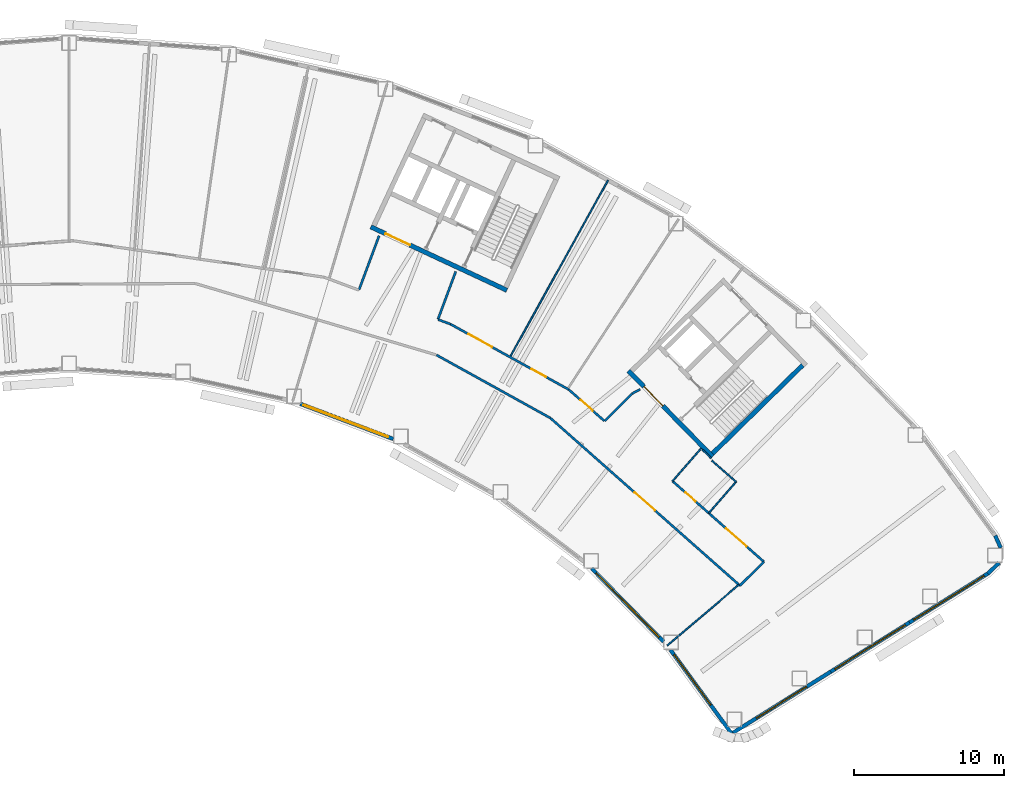
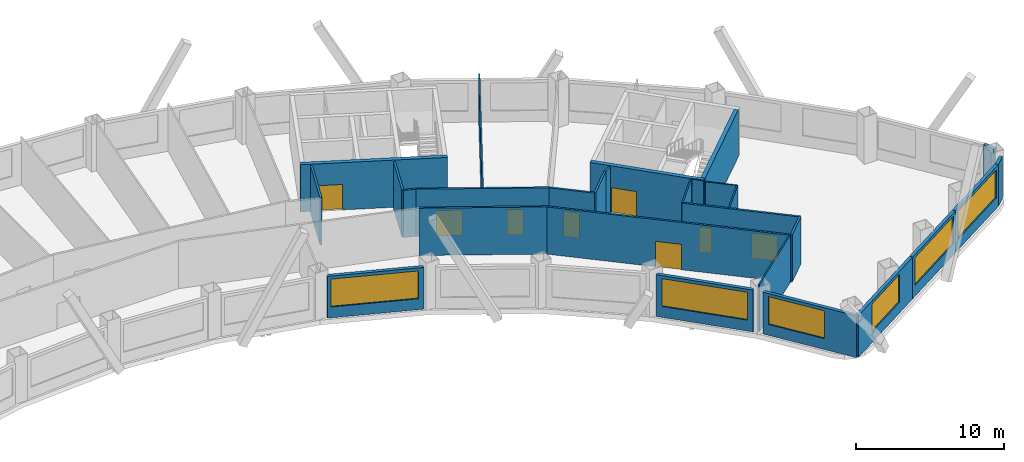
# One storey, part 6 of 11: 28 walls, 8 doors, 6 windows, 14 openings.
"""IFC4 building model written with IfcOpenShell, lengths in metres."""

from ifc_helpers import new_model, si_unit, direction, frame, frame_2d, origin, place, context, subcontext, project, spatial, rectangle, extrude, material, layer, layer_set, type_object, element, fill, save


model = new_model("IFC4")

# Units and contexts
model_context = context("Model", 3, precision=1e-05, world=origin(), true_north=direction((0.0, 1.0)))
body_context = subcontext(model_context, "Body", "Model", "MODEL_VIEW")
ifc_project = project(units=[si_unit("LENGTHUNIT", "METRE"), si_unit("AREAUNIT", "SQUARE_METRE"), si_unit("VOLUMEUNIT", "CUBIC_METRE"), si_unit("PLANEANGLEUNIT", "RADIAN"), si_unit("MASSUNIT", "GRAM", prefix="KILO")], contexts=[model_context])

# Site, building, storey
site_placement = place(None, origin())
site = spatial("IfcSite", under=ifc_project, at=site_placement, CompositionType="ELEMENT")
building_placement = place(site_placement, origin())
building = spatial("IfcBuilding", under=site, at=building_placement, Name="Tuul Gate Civic Tower", CompositionType="ELEMENT")
storey_placement = place(building_placement, frame((0.0, 0.0, 138.199951171875)))
storey = spatial("IfcBuildingStorey", under=building, at=storey_placement, Name="Level 31", CompositionType="ELEMENT", Elevation=138.199951171875)

# Wall, opening, door
ifc_material_1 = material(Name="Concrete C50/60", Category="concrete")
ifc_layer_1 = layer(ifc_material_1, 0.300048828125)
ifc_layer_set_1 = layer_set([ifc_layer_1], Name="Concrete C50/60")
wall_type_1 = type_object("IfcWallType", Name="Core wall C50/60", PredefinedType="SHEAR", material=ifc_layer_set_1)
wall_1_placement = place(storey_placement, frame((48.22509765625, -18.327880859375, 0.0), z_axis=(0.0, 0.0, 1.0), x_axis=(-0.700021979774, 0.714121297703, 0.0)))
wall_1 = element("IfcWall", 1, at=wall_1_placement, inside=storey, type_object=wall_type_1, Name="Core wall", PredefinedType="SHEAR", context=body_context, shape_type="SweptSolid", body=[
    extrude(rectangle(XDim=8.0, YDim=0.300048828125, at=frame_2d((4.0, 0.0))), origin(), (0.0, 0.0, 1.0), 3.900146484375),
])
opening_1_placement = place(wall_1_placement, frame((4.72509765625, 0.0, 0.0)))
opening_1 = element("IfcOpeningElement", 2, at=opening_1_placement, cuts=wall_1, Name="Opening LB-E1-LOBBY-1", PredefinedType="OPENING", context=body_context, shape_type="SweptSolid", body=[
    extrude(rectangle(XDim=1.800048828125, YDim=2.10009765625, at=frame_2d((0.89990234375, 1.050048828125))), frame((0.0, 0.16015625, 0.0), z_axis=(0.0, -1.0, 0.0), x_axis=(1.0, 0.0, 0.0)), (0.0, 0.0, 1.0), 0.320068359375),
])
ifc_material_2 = material(Name="Steel", Category="steel")
door_type_1 = type_object("IfcDoorType", Name="Lobby door", OperationType="DOUBLE_DOOR_SINGLE_SWING", PredefinedType="DOOR", material=ifc_material_2)
door_1_placement = place(opening_1_placement, frame((1.800048828125, 0.0, 0.0), z_axis=(0.0, 0.0, 1.0), x_axis=(-1.0, 0.0, 0.0)))
door_1 = element("IfcDoor", 3, at=door_1_placement, inside=storey, type_object=door_type_1, Name="Lobby door E1-LOBBY", OperationType="DOUBLE_DOOR_SINGLE_SWING", OverallHeight=2.10009765625, OverallWidth=1.800048828125, PredefinedType="DOOR", context=body_context, shape_type="SweptSolid", body=[
    extrude(rectangle(XDim=1.800048828125, YDim=2.10009765625, at=frame_2d((0.900146484375, 1.050048828125))), frame((0.0, 0.02490234375, 0.0), z_axis=(0.0, -1.0, 0.0), x_axis=(1.0, 0.0, 0.0)), (0.0, 0.0, 1.0), 0.050048828125),
])
fill(opening_1, door_1)

# Wall
wall_2_placement = place(storey_placement, frame((48.227294921875, -18.115966796875, 0.0), z_axis=(0.0, 0.0, 1.0), x_axis=(0.714105315431, 0.700038283577, 0.0)))
element("IfcWall", 4, at=wall_2_placement, inside=storey, type_object=wall_type_1, Name="Core wall", PredefinedType="SHEAR", context=body_context, shape_type="SweptSolid", body=[
    extrude(rectangle(XDim=8.400146484375, YDim=0.300048828125, at=frame_2d((4.2001953125, 0.0))), origin(), (0.0, 0.0, 1.0), 3.900146484375),
])

# Wall, opening, door
wall_3_placement = place(storey_placement, frame((34.5283203125, -7.25, 0.0), z_axis=(0.0, 0.0, 1.0), x_axis=(-0.906310338845, 0.422612789327, 0.0)))
wall_3 = element("IfcWall", 5, at=wall_3_placement, inside=storey, type_object=wall_type_1, Name="Core wall", PredefinedType="SHEAR", context=body_context, shape_type="SweptSolid", body=[
    extrude(rectangle(XDim=9.999755859375, YDim=0.300048828125, at=frame_2d((5.0, 0.0))), origin(), (0.0, 0.0, 1.0), 3.900146484375),
])
opening_2_placement = place(wall_3_placement, frame((7.125, 0.0, 0.0)))
opening_2 = element("IfcOpeningElement", 6, at=opening_2_placement, cuts=wall_3, Name="Opening LB-E3-LOBBY-1", PredefinedType="OPENING", context=body_context, shape_type="SweptSolid", body=[
    extrude(rectangle(XDim=1.800048828125, YDim=2.10009765625, at=frame_2d((0.89990234375, 1.050048828125))), frame((0.0, 0.16015625, 0.0), z_axis=(0.0, -1.0, 0.0), x_axis=(1.0, 0.0, 0.0)), (0.0, 0.0, 1.0), 0.320068359375),
])
door_2_placement = place(opening_2_placement, frame((1.800048828125, 0.0, 0.0), z_axis=(0.0, 0.0, 1.0), x_axis=(-1.0, 0.0, 0.0)))
door_2 = element("IfcDoor", 7, at=door_2_placement, inside=storey, type_object=door_type_1, Name="Lobby door E3-LOBBY", OperationType="DOUBLE_DOOR_SINGLE_SWING", OverallHeight=2.10009765625, OverallWidth=1.800048828125, PredefinedType="DOOR", context=body_context, shape_type="SweptSolid", body=[
    extrude(rectangle(XDim=1.800048828125, YDim=2.10009765625, at=frame_2d((0.900146484375, 1.050048828125))), frame((0.0, 0.02490234375, 0.0), z_axis=(0.0, -1.0, 0.0), x_axis=(1.0, 0.0, 0.0)), (0.0, 0.0, 1.0), 0.050048828125),
])
fill(opening_2, door_2)

ifc_material_3 = material(Name="Gypsum board partition")
ifc_layer_2 = layer(ifc_material_3, 0.14990234375)
ifc_layer_set_2 = layer_set([ifc_layer_2], Name="Gypsum board partition")
wall_type_2 = type_object("IfcWallType", Name="Corridor wall P150", PredefinedType="PARTITIONING", material=ifc_layer_set_2)
wall_4_placement = place(storey_placement, frame((37.420166015625, -15.75341796875, 0.0), z_axis=(0.0, 0.0, 1.0), x_axis=(0.749288791538, -0.662243389454, 0.0)))
wall_4 = element("IfcWall", 8, at=wall_4_placement, inside=storey, type_object=wall_type_2, Name="p005", PredefinedType="PARTITIONING", context=body_context, shape_type="SweptSolid", body=[
    extrude(rectangle(XDim=16.850830078125, YDim=0.14990234375, at=frame_2d((8.42529296875, 0.0))), origin(), (0.0, 0.0, 1.0), 3.900146484375),
])
opening_3_placement = place(wall_4_placement, frame((7.482421875, 0.0, 0.0)))
opening_3 = element("IfcOpeningElement", 9, at=opening_3_placement, cuts=wall_4, Name="Opening K-D18", PredefinedType="OPENING", context=body_context, shape_type="SweptSolid", body=[
    extrude(rectangle(XDim=1.800048828125, YDim=2.10009765625, at=frame_2d((0.89990234375, 1.050048828125))), frame((0.0, 0.0849609375, 0.0), z_axis=(0.0, -1.0, 0.0), x_axis=(1.0, 0.0, 0.0)), (0.0, 0.0, 1.0), 0.169921875),
])
ifc_material_4 = material(Name="Timber door leaf, double", Category="wood")
door_type_2 = type_object("IfcDoorType", Name="Door D18", OperationType="DOUBLE_DOOR_SINGLE_SWING", PredefinedType="DOOR", material=ifc_material_4)
door_3_placement = place(opening_3_placement, frame((1.800048828125, 0.0, 0.0), z_axis=(0.0, 0.0, 1.0), x_axis=(-1.0, 0.0, 0.0)))
door_3 = element("IfcDoor", 10, at=door_3_placement, inside=storey, type_object=door_type_2, Name="Door K-D18", OperationType="DOUBLE_DOOR_SINGLE_SWING", OverallHeight=2.10009765625, OverallWidth=1.800048828125, PredefinedType="DOOR", context=body_context, shape_type="SweptSolid", body=[
    extrude(rectangle(XDim=1.800048828125, YDim=2.10009765625, at=frame_2d((0.900146484375, 1.050048828125))), frame((0.0, 0.02490234375, 0.0), z_axis=(0.0, -1.0, 0.0), x_axis=(1.0, 0.0, 0.0)), (0.0, 0.0, 1.0), 0.050048828125),
])
fill(opening_3, door_3)

# Wall
wall_5_placement = place(storey_placement, frame((50.04638671875, -26.912841796875, 0.0), z_axis=(0.0, 0.0, 1.0), x_axis=(0.711649081693, 0.702535112664, 0.0)))
element("IfcWall", 11, at=wall_5_placement, inside=storey, type_object=wall_type_2, Name="p006", PredefinedType="PARTITIONING", context=body_context, shape_type="SweptSolid", body=[
    extrude(rectangle(XDim=2.250244140625, YDim=0.14990234375, at=frame_2d((1.125, 0.0))), origin(), (0.0, 0.0, 1.0), 3.900146484375),
])

# Wall, opening, door
wall_6_placement = place(storey_placement, frame((38.6513671875, -13.862548828125, 0.0), z_axis=(0.0, 0.0, 1.0), x_axis=(0.749742885819, -0.661729253671, 0.0)))
wall_6 = element("IfcWall", 12, at=wall_6_placement, inside=storey, type_object=wall_type_2, Name="p007", PredefinedType="PARTITIONING", context=body_context, shape_type="SweptSolid", body=[
    extrude(rectangle(XDim=3.151123046875, YDim=0.14990234375, at=frame_2d((1.57568359375, 0.0))), origin(), (0.0, 0.0, 1.0), 3.900146484375),
])
opening_4_placement = place(wall_6_placement, frame((1.025634765625, 0.0, 0.0)))
opening_4 = element("IfcOpeningElement", 13, at=opening_4_placement, cuts=wall_6, Name="Opening K-D03", PredefinedType="OPENING", context=body_context, shape_type="SweptSolid", body=[
    extrude(rectangle(XDim=1.10009765625, YDim=2.10009765625, at=frame_2d((0.550048828125, 1.050048828125))), frame((0.0, 0.0849609375, 0.0), z_axis=(0.0, -1.0, 0.0), x_axis=(1.0, 0.0, 0.0)), (0.0, 0.0, 1.0), 0.169921875),
])
ifc_material_5 = material(Name="Timber door leaf", Category="wood")
door_type_3 = type_object("IfcDoorType", Name="Door D11", OperationType="NOTDEFINED", PredefinedType="DOOR", material=ifc_material_5)
door_4_placement = place(opening_4_placement, origin())
door_4 = element("IfcDoor", 14, at=door_4_placement, inside=storey, type_object=door_type_3, Name="Door K-D03", OperationType="SINGLE_SWING_RIGHT", OverallHeight=2.10009765625, OverallWidth=1.10009765625, PredefinedType="DOOR", context=body_context, shape_type="SweptSolid", body=[
    extrude(rectangle(XDim=1.10009765625, YDim=2.10009765625, at=frame_2d((0.550048828125, 1.050048828125))), frame((0.0, 0.02490234375, 0.0), z_axis=(0.0, -1.0, 0.0), x_axis=(1.0, 0.0, 0.0)), (0.0, 0.0, 1.0), 0.050048828125),
])
fill(opening_4, door_4)

# Wall, openings, doors
wall_7_placement = place(storey_placement, frame((45.552490234375, -19.952880859375, 0.0), z_axis=(0.0, 0.0, 1.0), x_axis=(0.749775626485, -0.661692156466, 0.0)))
wall_7 = element("IfcWall", 15, at=wall_7_placement, inside=storey, type_object=wall_type_2, Name="p008", PredefinedType="PARTITIONING", context=body_context, shape_type="SweptSolid", body=[
    extrude(rectangle(XDim=8.12939453125, YDim=0.14990234375, at=frame_2d((4.064697265625, 0.0))), origin(), (0.0, 0.0, 1.0), 3.900146484375),
])
opening_5_placement = place(wall_7_placement, frame((4.775146484375, 0.0, 0.0)))
opening_5 = element("IfcOpeningElement", 16, at=opening_5_placement, cuts=wall_7, Name="Opening K-D01", PredefinedType="OPENING", context=body_context, shape_type="SweptSolid", body=[
    extrude(rectangle(XDim=1.800048828125, YDim=2.10009765625, at=frame_2d((0.89990234375, 1.050048828125))), frame((0.0, 0.0849609375, 0.0), z_axis=(0.0, -1.0, 0.0), x_axis=(1.0, 0.0, 0.0)), (0.0, 0.0, 1.0), 0.169921875),
])
opening_6_placement = place(wall_7_placement, frame((1.159912109375, 0.0, 0.0)))
opening_6 = element("IfcOpeningElement", 17, at=opening_6_placement, cuts=wall_7, Name="Opening K-D02", PredefinedType="OPENING", context=body_context, shape_type="SweptSolid", body=[
    extrude(rectangle(XDim=0.89990234375, YDim=2.10009765625, at=frame_2d((0.449951171875, 1.050048828125))), frame((0.0, 0.0849609375, 0.0), z_axis=(0.0, -1.0, 0.0), x_axis=(1.0, 0.0, 0.0)), (0.0, 0.0, 1.0), 0.169921875),
])
ifc_material_6 = material(Name="Timber door leaf", Category="wood")
door_type_4 = type_object("IfcDoorType", Name="Door D09", OperationType="NOTDEFINED", PredefinedType="DOOR", material=ifc_material_6)
door_5_placement = place(opening_6_placement, origin())
door_5 = element("IfcDoor", 18, at=door_5_placement, inside=storey, type_object=door_type_4, Name="Door K-D02", OperationType="SINGLE_SWING_RIGHT", OverallHeight=2.10009765625, OverallWidth=0.89990234375, PredefinedType="DOOR", context=body_context, shape_type="SweptSolid", body=[
    extrude(rectangle(XDim=0.89990234375, YDim=2.10009765625, at=frame_2d((0.449951171875, 1.050048828125))), frame((0.0, 0.02490234375, 0.0), z_axis=(0.0, -1.0, 0.0), x_axis=(1.0, 0.0, 0.0)), (0.0, 0.0, 1.0), 0.050048828125),
])
fill(opening_6, door_5)
door_6_placement = place(opening_5_placement, origin())
door_6 = element("IfcDoor", 19, at=door_6_placement, inside=storey, type_object=door_type_2, Name="Door K-D01", OperationType="DOUBLE_DOOR_SINGLE_SWING", OverallHeight=2.10009765625, OverallWidth=1.800048828125, PredefinedType="DOOR", context=body_context, shape_type="SweptSolid", body=[
    extrude(rectangle(XDim=1.800048828125, YDim=2.10009765625, at=frame_2d((0.89990234375, 1.050048828125))), frame((0.0, 0.02490234375, 0.0), z_axis=(0.0, -1.0, 0.0), x_axis=(1.0, 0.0, 0.0)), (0.0, 0.0, 1.0), 0.050048828125),
])
fill(opening_5, door_6)

# Walls
wall_8_placement = place(storey_placement, frame((42.864990234375, -14.128662109375, 0.0), z_axis=(0.0, 0.0, 1.0), x_axis=(0.885582117256, 0.46448284532, 0.0)))
element("IfcWall", 20, at=wall_8_placement, inside=storey, type_object=wall_type_2, Name="p010", PredefinedType="PARTITIONING", context=body_context, shape_type="SweptSolid", body=[
    extrude(rectangle(XDim=0.61328125, YDim=0.14990234375, at=frame_2d((0.306640625, 0.0))), origin(), (0.0, 0.0, 1.0), 3.900146484375),
])
wall_9_placement = place(storey_placement, frame((41.042724609375, -15.94677734375, 0.0), z_axis=(0.0, 0.0, 1.0), x_axis=(0.707865682362, 0.706347064647, 0.0)))
element("IfcWall", 21, at=wall_9_placement, inside=storey, type_object=wall_type_2, Name="p011", PredefinedType="PARTITIONING", context=body_context, shape_type="SweptSolid", body=[
    extrude(rectangle(XDim=2.572265625, YDim=0.14990234375, at=frame_2d((1.2861328125, 0.0))), origin(), (0.0, 0.0, 1.0), 3.900146484375),
])

# Wall, openings, doors
wall_10_placement = place(storey_placement, frame((30.78173828125, -9.50732421875, 0.0), z_axis=(0.0, 0.0, 1.0), x_axis=(0.874961607648, -0.484192301821, 0.0)))
wall_10 = element("IfcWall", 22, at=wall_10_placement, inside=storey, type_object=wall_type_2, Name="p012", PredefinedType="PARTITIONING", context=body_context, shape_type="SweptSolid", body=[
    extrude(rectangle(XDim=8.9921875, YDim=0.14990234375, at=frame_2d((4.49609375, 0.0))), origin(), (0.0, 0.0, 1.0), 3.900146484375),
])
opening_7_placement = place(wall_10_placement, frame((6.163330078125, 0.0, 0.0)))
opening_7 = element("IfcOpeningElement", 23, at=opening_7_placement, cuts=wall_10, Name="Opening K-D04", PredefinedType="OPENING", context=body_context, shape_type="SweptSolid", body=[
    extrude(rectangle(XDim=1.10009765625, YDim=2.10009765625, at=frame_2d((0.550048828125, 1.050048828125))), frame((0.0, 0.0849609375, 0.0), z_axis=(0.0, -1.0, 0.0), x_axis=(1.0, 0.0, 0.0)), (0.0, 0.0, 1.0), 0.169921875),
])
opening_8_placement = place(wall_10_placement, frame((1.35986328125, 0.0, 0.0)))
opening_8 = element("IfcOpeningElement", 24, at=opening_8_placement, cuts=wall_10, Name="Opening K-D05", PredefinedType="OPENING", context=body_context, shape_type="SweptSolid", body=[
    extrude(rectangle(XDim=1.800048828125, YDim=2.10009765625, at=frame_2d((0.89990234375, 1.050048828125))), frame((0.0, 0.0849609375, 0.0), z_axis=(0.0, -1.0, 0.0), x_axis=(1.0, 0.0, 0.0)), (0.0, 0.0, 1.0), 0.169921875),
])
door_7_placement = place(opening_7_placement, origin())
door_7 = element("IfcDoor", 25, at=door_7_placement, inside=storey, type_object=door_type_3, Name="Door K-D04", OperationType="SINGLE_SWING_RIGHT", OverallHeight=2.10009765625, OverallWidth=1.10009765625, PredefinedType="DOOR", context=body_context, shape_type="SweptSolid", body=[
    extrude(rectangle(XDim=1.10009765625, YDim=2.10009765625, at=frame_2d((0.550048828125, 1.050048828125))), frame((0.0, 0.02490234375, 0.0), z_axis=(0.0, -1.0, 0.0), x_axis=(1.0, 0.0, 0.0)), (0.0, 0.0, 1.0), 0.050048828125),
])
fill(opening_7, door_7)
door_8_placement = place(opening_8_placement, origin())
door_8 = element("IfcDoor", 26, at=door_8_placement, inside=storey, type_object=door_type_2, Name="Door K-D05", OperationType="DOUBLE_DOOR_SINGLE_SWING", OverallHeight=2.10009765625, OverallWidth=1.800048828125, PredefinedType="DOOR", context=body_context, shape_type="SweptSolid", body=[
    extrude(rectangle(XDim=1.800048828125, YDim=2.10009765625, at=frame_2d((0.89990234375, 1.050048828125))), frame((0.0, 0.02490234375, 0.0), z_axis=(0.0, -1.0, 0.0), x_axis=(1.0, 0.0, 0.0)), (0.0, 0.0, 1.0), 0.050048828125),
])
fill(opening_8, door_8)

# Walls
wall_11_placement = place(storey_placement, frame((29.953125, -9.19921875, 0.0), z_axis=(0.0, 0.0, 1.0), x_axis=(0.937314316494, -0.348485110293, 0.0)))
element("IfcWall", 27, at=wall_11_placement, inside=storey, type_object=wall_type_2, Name="p017", PredefinedType="PARTITIONING", context=body_context, shape_type="SweptSolid", body=[
    extrude(rectangle(XDim=0.8828125, YDim=0.14990234375, at=frame_2d((0.44140625, 0.0))), origin(), (0.0, 0.0, 1.0), 3.900146484375),
])
wall_12_placement = place(storey_placement, frame((29.94091796875, -9.172607421875, 0.0), z_axis=(0.0, 0.0, 1.0), x_axis=(0.348376318693, 0.937354757055, 0.0)))
element("IfcWall", 28, at=wall_12_placement, inside=storey, type_object=wall_type_2, Name="p018", PredefinedType="PARTITIONING", context=body_context, shape_type="SweptSolid", body=[
    extrude(rectangle(XDim=3.39111328125, YDim=0.14990234375, at=frame_2d((1.695556640625, 0.0))), origin(), (0.0, 0.0, 1.0), 3.900146484375),
])
wall_13_placement = place(storey_placement, frame((24.678466796875, -7.216796875, 0.0), z_axis=(0.0, 0.0, 1.0), x_axis=(0.348379481911, 0.937353581411, 0.0)))
element("IfcWall", 29, at=wall_13_placement, inside=storey, type_object=wall_type_2, Name="p019", PredefinedType="PARTITIONING", context=body_context, shape_type="SweptSolid", body=[
    extrude(rectangle(XDim=3.84375, YDim=0.14990234375, at=frame_2d((1.921875, 0.0))), origin(), (0.0, 0.0, 1.0), 3.900146484375),
])
wall_14_placement = place(storey_placement, frame((29.839111328125, -11.5576171875, 0.0), z_axis=(0.0, 0.0, 1.0), x_axis=(0.874934991468, -0.484240395574, 0.0)))
element("IfcWall", 30, at=wall_14_placement, inside=storey, type_object=wall_type_2, Name="p049", PredefinedType="PARTITIONING", context=body_context, shape_type="SweptSolid", body=[
    extrude(rectangle(XDim=8.664794921875, YDim=0.14990234375, at=frame_2d((4.33251953125, 0.0))), origin(), (0.0, 0.0, 1.0), 3.900146484375),
])
ifc_material_7 = material(Name="Precast concrete C40/50", Category="concrete")
ifc_layer_3 = layer(ifc_material_7, 0.25)
ifc_layer_set_3 = layer_set([ifc_layer_3], Name="Precast concrete C40/50")
wall_type_3 = type_object("IfcWallType", Name="External wall", PredefinedType="STANDARD", material=ifc_layer_set_3)
wall_15_placement = place(storey_placement, frame((66.564453125, -26.109619140625, 0.0), z_axis=(0.0, 0.0, 1.0), x_axis=(0.722224898846, 0.691658293875, 0.0)))
element("IfcWall", 31, at=wall_15_placement, inside=storey, type_object=wall_type_3, Name="External wall", PredefinedType="STANDARD", context=body_context, shape_type="SweptSolid", body=[
    extrude(rectangle(XDim=1.0302734375, YDim=0.25, at=frame_2d((0.51513671875, 0.0))), origin(), (0.0, 0.0, 1.0), 3.449951171875),
])
wall_16_placement = place(storey_placement, frame((67.416015625, -24.39697265625, 0.0), z_axis=(0.0, 0.0, 1.0), x_axis=(-0.41355333093, 0.9104798968, 0.0)))
element("IfcWall", 32, at=wall_16_placement, inside=storey, type_object=wall_type_3, Name="External wall", PredefinedType="STANDARD", context=body_context, shape_type="SweptSolid", body=[
    extrude(rectangle(XDim=0.88427734375, YDim=0.25, at=frame_2d((0.442138671875, 0.0))), origin(), (0.0, 0.0, 1.0), 3.449951171875),
])

# Wall, opening, window
wall_17_placement = place(storey_placement, frame((20.76416015625, -14.806884765625, 0.0), z_axis=(0.0, 0.0, 1.0), x_axis=(0.935359421998, -0.353698673562, 0.0)))
wall_17 = element("IfcWall", 33, at=wall_17_placement, inside=storey, type_object=wall_type_3, Name="External wall", PredefinedType="STANDARD", context=body_context, shape_type="SweptSolid", body=[
    extrude(rectangle(XDim=6.625, YDim=0.25, at=frame_2d((3.3125, 0.0))), origin(), (0.0, 0.0, 1.0), 3.449951171875),
])
opening_9_placement = place(wall_17_placement, frame((0.240478515625, 0.0, 0.89990234375)))
opening_9 = element("IfcOpeningElement", 34, at=opening_9_placement, cuts=wall_17, Name="Opening W26", PredefinedType="OPENING", context=body_context, shape_type="SweptSolid", body=[
    extrude(rectangle(XDim=6.0, YDim=2.300048828125, at=frame_2d((3.0, 1.14990234375))), frame((0.0, 0.135009765625, 0.0), z_axis=(0.0, -1.0, 0.0), x_axis=(1.0, 0.0, 0.0)), (0.0, 0.0, 1.0), 0.27001953125),
])
ifc_material_8 = material(Name="Glass", Category="glass")
window_type_1 = type_object("IfcWindowType", Name="Window W26 6000 x 2300", PartitioningType="SINGLE_PANEL", PredefinedType="WINDOW", material=ifc_material_8)
window_1_placement = place(opening_9_placement, origin())
window_1 = element("IfcWindow", 35, at=window_1_placement, inside=storey, type_object=window_type_1, Name="Window", OverallHeight=2.300048828125, OverallWidth=6.0, PartitioningType="SINGLE_PANEL", PredefinedType="WINDOW", context=body_context, shape_type="SweptSolid", body=[
    extrude(rectangle(XDim=6.0, YDim=2.300048828125, at=frame_2d((3.0, 1.14990234375))), frame((0.0, 0.030029296875, 0.0), z_axis=(0.0, -1.0, 0.0), x_axis=(1.0, 0.0, 0.0)), (0.0, 0.0, 1.0), 0.06005859375),
])
fill(opening_9, window_1)

wall_18_placement = place(storey_placement, frame((40.1748046875, -25.77099609375, 0.0), z_axis=(0.0, 0.0, 1.0), x_axis=(0.700046388208, -0.714097370361, 0.0)))
wall_18 = element("IfcWall", 36, at=wall_18_placement, inside=storey, type_object=wall_type_3, Name="External wall", PredefinedType="STANDARD", context=body_context, shape_type="SweptSolid", body=[
    extrude(rectangle(XDim=6.82861328125, YDim=0.25, at=frame_2d((3.414306640625, 0.0))), origin(), (0.0, 0.0, 1.0), 3.449951171875),
])
opening_10_placement = place(wall_18_placement, frame((0.41552734375, 0.0, 0.89990234375)))
opening_10 = element("IfcOpeningElement", 37, at=opening_10_placement, cuts=wall_18, Name="Opening W26", PredefinedType="OPENING", context=body_context, shape_type="SweptSolid", body=[
    extrude(rectangle(XDim=6.0, YDim=2.300048828125, at=frame_2d((3.0, 1.14990234375))), frame((0.0, 0.135009765625, 0.0), z_axis=(0.0, -1.0, 0.0), x_axis=(1.0, 0.0, 0.0)), (0.0, 0.0, 1.0), 0.27001953125),
])
window_2_placement = place(opening_10_placement, origin())
window_2 = element("IfcWindow", 38, at=window_2_placement, inside=storey, type_object=window_type_1, Name="Window", OverallHeight=2.300048828125, OverallWidth=6.0, PartitioningType="SINGLE_PANEL", PredefinedType="WINDOW", context=body_context, shape_type="SweptSolid", body=[
    extrude(rectangle(XDim=6.0, YDim=2.300048828125, at=frame_2d((3.0, 1.14990234375))), frame((0.0, 0.030029296875, 0.0), z_axis=(0.0, -1.0, 0.0), x_axis=(1.0, 0.0, 0.0)), (0.0, 0.0, 1.0), 0.06005859375),
])
fill(opening_10, window_2)

wall_19_placement = place(storey_placement, frame((45.417724609375, -31.193115234375, 0.0), z_axis=(0.0, 0.0, 1.0), x_axis=(0.589725122594, -0.807604036507, 0.0)))
wall_19 = element("IfcWall", 39, at=wall_19_placement, inside=storey, type_object=wall_type_3, Name="External wall", PredefinedType="STANDARD", context=body_context, shape_type="SweptSolid", body=[
    extrude(rectangle(XDim=6.910400390625, YDim=0.25, at=frame_2d((3.455078125, 0.0))), origin(), (0.0, 0.0, 1.0), 3.449951171875),
])
opening_11_placement = place(wall_19_placement, frame((0.40380859375, 0.0, 0.89990234375)))
opening_11 = element("IfcOpeningElement", 40, at=opening_11_placement, cuts=wall_19, Name="Opening W25", PredefinedType="OPENING", context=body_context, shape_type="SweptSolid", body=[
    extrude(rectangle(XDim=4.14990234375, YDim=2.300048828125, at=frame_2d((2.074951171875, 1.14990234375))), frame((0.0, 0.135009765625, 0.0), z_axis=(0.0, -1.0, 0.0), x_axis=(1.0, 0.0, 0.0)), (0.0, 0.0, 1.0), 0.27001953125),
])
ifc_material_9 = material(Name="Glass", Category="glass")
window_type_2 = type_object("IfcWindowType", Name="Window W25 4150 x 2300", PartitioningType="SINGLE_PANEL", PredefinedType="WINDOW", material=ifc_material_9)
window_3_placement = place(opening_11_placement, origin())
window_3 = element("IfcWindow", 41, at=window_3_placement, inside=storey, type_object=window_type_2, Name="Window", OverallHeight=2.300048828125, OverallWidth=4.14990234375, PartitioningType="SINGLE_PANEL", PredefinedType="WINDOW", context=body_context, shape_type="SweptSolid", body=[
    extrude(rectangle(XDim=4.14990234375, YDim=2.300048828125, at=frame_2d((2.074951171875, 1.14990234375))), frame((0.0, 0.030029296875, 0.0), z_axis=(0.0, -1.0, 0.0), x_axis=(1.0, 0.0, 0.0)), (0.0, 0.0, 1.0), 0.06005859375),
])
fill(opening_11, window_3)

wall_20_placement = place(storey_placement, frame((49.492919921875, -36.77392578125, 0.0), z_axis=(0.0, 0.0, 1.0), x_axis=(0.848059933221, 0.529900320499, 0.0)))
wall_20 = element("IfcWall", 42, at=wall_20_placement, inside=storey, type_object=wall_type_3, Name="External wall", PredefinedType="STANDARD", context=body_context, shape_type="SweptSolid", body=[
    extrude(rectangle(XDim=7.78857421875, YDim=0.25, at=frame_2d((3.894287109375, 0.0))), origin(), (0.0, 0.0, 1.0), 3.449951171875),
])
opening_12_placement = place(wall_20_placement, frame((1.94189453125, 0.0, 0.89990234375)))
opening_12 = element("IfcOpeningElement", 43, at=opening_12_placement, cuts=wall_20, Name="Opening W113", PredefinedType="OPENING", context=body_context, shape_type="SweptSolid", body=[
    extrude(rectangle(XDim=3.949951171875, YDim=2.300048828125, at=frame_2d((1.97509765625, 1.14990234375))), frame((0.0, 0.135009765625, 0.0), z_axis=(0.0, -1.0, 0.0), x_axis=(1.0, 0.0, 0.0)), (0.0, 0.0, 1.0), 0.27001953125),
])
ifc_material_10 = material(Name="Glass", Category="glass")
window_type_3 = type_object("IfcWindowType", Name="Window W113 3950 x 2300", PartitioningType="SINGLE_PANEL", PredefinedType="WINDOW", material=ifc_material_10)
window_4_placement = place(opening_12_placement, origin())
window_4 = element("IfcWindow", 44, at=window_4_placement, inside=storey, type_object=window_type_3, Name="Window", OverallHeight=2.300048828125, OverallWidth=3.949951171875, PartitioningType="SINGLE_PANEL", PredefinedType="WINDOW", context=body_context, shape_type="SweptSolid", body=[
    extrude(rectangle(XDim=3.949951171875, YDim=2.300048828125, at=frame_2d((1.97509765625, 1.14990234375))), frame((0.0, 0.030029296875, 0.0), z_axis=(0.0, -1.0, 0.0), x_axis=(1.0, 0.0, 0.0)), (0.0, 0.0, 1.0), 0.06005859375),
])
fill(opening_12, window_4)

wall_21_placement = place(storey_placement, frame((56.09814453125, -32.646728515625, 0.0), z_axis=(0.0, 0.0, 1.0), x_axis=(0.848042669488, 0.529927948619, 0.0)))
wall_21 = element("IfcWall", 45, at=wall_21_placement, inside=storey, type_object=wall_type_3, Name="External wall", PredefinedType="STANDARD", context=body_context, shape_type="SweptSolid", body=[
    extrude(rectangle(XDim=6.1826171875, YDim=0.25, at=frame_2d((3.09130859375, 0.0))), origin(), (0.0, 0.0, 1.0), 3.449951171875),
])
opening_13_placement = place(wall_21_placement, frame((0.31640625, 0.0, 0.89990234375)))
opening_13 = element("IfcOpeningElement", 46, at=opening_13_placement, cuts=wall_21, Name="Opening W24", PredefinedType="OPENING", context=body_context, shape_type="SweptSolid", body=[
    extrude(rectangle(XDim=5.550048828125, YDim=2.300048828125, at=frame_2d((2.77490234375, 1.14990234375))), frame((0.0, 0.135009765625, 0.0), z_axis=(0.0, -1.0, 0.0), x_axis=(1.0, 0.0, 0.0)), (0.0, 0.0, 1.0), 0.27001953125),
])
ifc_material_11 = material(Name="Glass", Category="glass")
window_type_4 = type_object("IfcWindowType", Name="Window W24 5550 x 2300", PartitioningType="SINGLE_PANEL", PredefinedType="WINDOW", material=ifc_material_11)
window_5_placement = place(opening_13_placement, origin())
window_5 = element("IfcWindow", 47, at=window_5_placement, inside=storey, type_object=window_type_4, Name="Window", OverallHeight=2.300048828125, OverallWidth=5.550048828125, PartitioningType="SINGLE_PANEL", PredefinedType="WINDOW", context=body_context, shape_type="SweptSolid", body=[
    extrude(rectangle(XDim=5.550048828125, YDim=2.300048828125, at=frame_2d((2.77490234375, 1.14990234375))), frame((0.0, 0.030029296875, 0.0), z_axis=(0.0, -1.0, 0.0), x_axis=(1.0, 0.0, 0.0)), (0.0, 0.0, 1.0), 0.06005859375),
])
fill(opening_13, window_5)

wall_22_placement = place(storey_placement, frame((61.34130859375, -29.370361328125, 0.0), z_axis=(0.0, 0.0, 1.0), x_axis=(0.848053758074, 0.529910203164, 0.0)))
wall_22 = element("IfcWall", 48, at=wall_22_placement, inside=storey, type_object=wall_type_3, Name="External wall", PredefinedType="STANDARD", context=body_context, shape_type="SweptSolid", body=[
    extrude(rectangle(XDim=6.182861328125, YDim=0.25, at=frame_2d((3.09130859375, 0.0))), origin(), (0.0, 0.0, 1.0), 3.449951171875),
])
opening_14_placement = place(wall_22_placement, frame((0.31640625, 0.0, 0.89990234375)))
opening_14 = element("IfcOpeningElement", 49, at=opening_14_placement, cuts=wall_22, Name="Opening W24", PredefinedType="OPENING", context=body_context, shape_type="SweptSolid", body=[
    extrude(rectangle(XDim=5.550048828125, YDim=2.300048828125, at=frame_2d((2.77490234375, 1.14990234375))), frame((0.0, 0.135009765625, 0.0), z_axis=(0.0, -1.0, 0.0), x_axis=(1.0, 0.0, 0.0)), (0.0, 0.0, 1.0), 0.27001953125),
])
window_6_placement = place(opening_14_placement, origin())
window_6 = element("IfcWindow", 50, at=window_6_placement, inside=storey, type_object=window_type_4, Name="Window", OverallHeight=2.300048828125, OverallWidth=5.550048828125, PartitioningType="SINGLE_PANEL", PredefinedType="WINDOW", context=body_context, shape_type="SweptSolid", body=[
    extrude(rectangle(XDim=5.550048828125, YDim=2.300048828125, at=frame_2d((2.77490234375, 1.14990234375))), frame((0.0, 0.030029296875, 0.0), z_axis=(0.0, -1.0, 0.0), x_axis=(1.0, 0.0, 0.0)), (0.0, 0.0, 1.0), 0.06005859375),
])
fill(opening_14, window_6)

# Walls
ifc_material_12 = material(Name="Gypsum board partition")
ifc_layer_4 = layer(ifc_material_12, 0.10009765625)
ifc_layer_set_4 = layer_set([ifc_layer_4], Name="Gypsum board partition")
wall_type_4 = type_object("IfcWallType", Name="Partition P100", PredefinedType="PARTITIONING", material=ifc_layer_set_4)
wall_23_placement = place(storey_placement, frame((47.96728515625, -22.083984375, 0.0), z_axis=(0.0, 0.0, 1.0), x_axis=(0.661697673843, 0.749770757252, 0.0)))
element("IfcWall", 51, at=wall_23_placement, inside=storey, type_object=wall_type_4, Name="p001", PredefinedType="PARTITIONING", context=body_context, shape_type="SweptSolid", body=[
    extrude(rectangle(XDim=2.760986328125, YDim=0.10009765625, at=frame_2d((1.38037109375, 0.0))), origin(), (0.0, 0.0, 1.0), 3.900146484375),
])
wall_24_placement = place(storey_placement, frame((48.17626953125, -18.5859375, 0.0), z_axis=(0.0, 0.0, 1.0), x_axis=(0.749745403134, -0.661726401528, 0.0)))
element("IfcWall", 52, at=wall_24_placement, inside=storey, type_object=wall_type_4, Name="p002", PredefinedType="PARTITIONING", context=body_context, shape_type="SweptSolid", body=[
    extrude(rectangle(XDim=2.157958984375, YDim=0.10009765625, at=frame_2d((1.0791015625, 0.0))), origin(), (0.0, 0.0, 1.0), 3.900146484375),
])
wall_25_placement = place(storey_placement, frame((45.202392578125, -30.906982421875, 0.0), z_axis=(0.0, 0.0, 1.0), x_axis=(0.762831750678, 0.646597030737, 0.0)))
element("IfcWall", 53, at=wall_25_placement, inside=storey, type_object=wall_type_4, Name="p004", PredefinedType="PARTITIONING", context=body_context, shape_type="SweptSolid", body=[
    extrude(rectangle(XDim=6.265625, YDim=0.10009765625, at=frame_2d((3.1328125, 0.0))), origin(), (0.0, 0.0, 1.0), 3.900146484375),
])
wall_26_placement = place(storey_placement, frame((34.736328125, -11.69580078125, 0.0), z_axis=(0.0, 0.0, 1.0), x_axis=(0.484811752455, 0.874618525233, 0.0)))
element("IfcWall", 54, at=wall_26_placement, inside=storey, type_object=wall_type_4, Name="p013", PredefinedType="PARTITIONING", context=body_context, shape_type="SweptSolid", body=[
    extrude(rectangle(XDim=13.470703125, YDim=0.10009765625, at=frame_2d((6.7353515625, 0.0))), origin(), (0.0, 0.0, 1.0), 3.900146484375),
])
wall_27_placement = place(storey_placement, frame((45.552490234375, -19.952880859375, 0.0), z_axis=(0.0, 0.0, 1.0), x_axis=(0.66162997967, 0.74983049418, 0.0)))
element("IfcWall", 55, at=wall_27_placement, inside=storey, type_object=wall_type_4, Name="p056", PredefinedType="PARTITIONING", context=body_context, shape_type="SweptSolid", body=[
    extrude(rectangle(XDim=2.903564453125, YDim=0.10009765625, at=frame_2d((1.45166015625, 0.0))), origin(), (0.0, 0.0, 1.0), 3.900146484375),
])
wall_28_placement = place(storey_placement, frame((47.551513671875, -17.85498046875, 0.0), z_axis=(0.0, 0.0, 1.0), x_axis=(0.699830097549, -0.714309340947, 0.0)))
element("IfcWall", 56, at=wall_28_placement, inside=storey, type_object=wall_type_4, Name="p057", PredefinedType="PARTITIONING", context=body_context, shape_type="SweptSolid", body=[
    extrude(rectangle(XDim=0.809326171875, YDim=0.10009765625, at=frame_2d((0.40478515625, 0.0))), origin(), (0.0, 0.0, 1.0), 3.900146484375),
])

save(model, "model.ifc")
